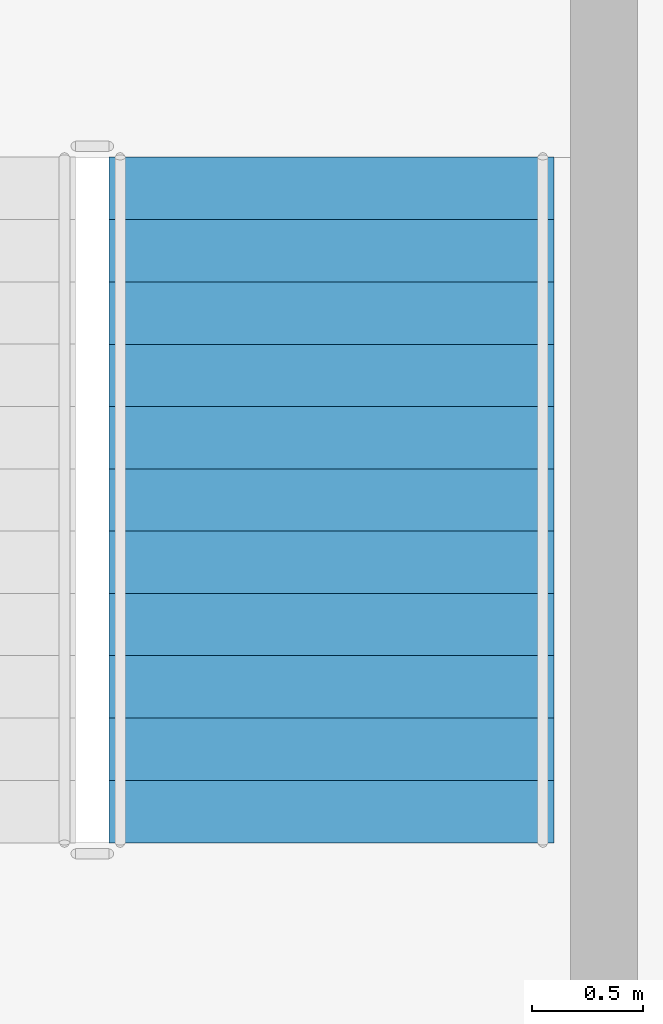
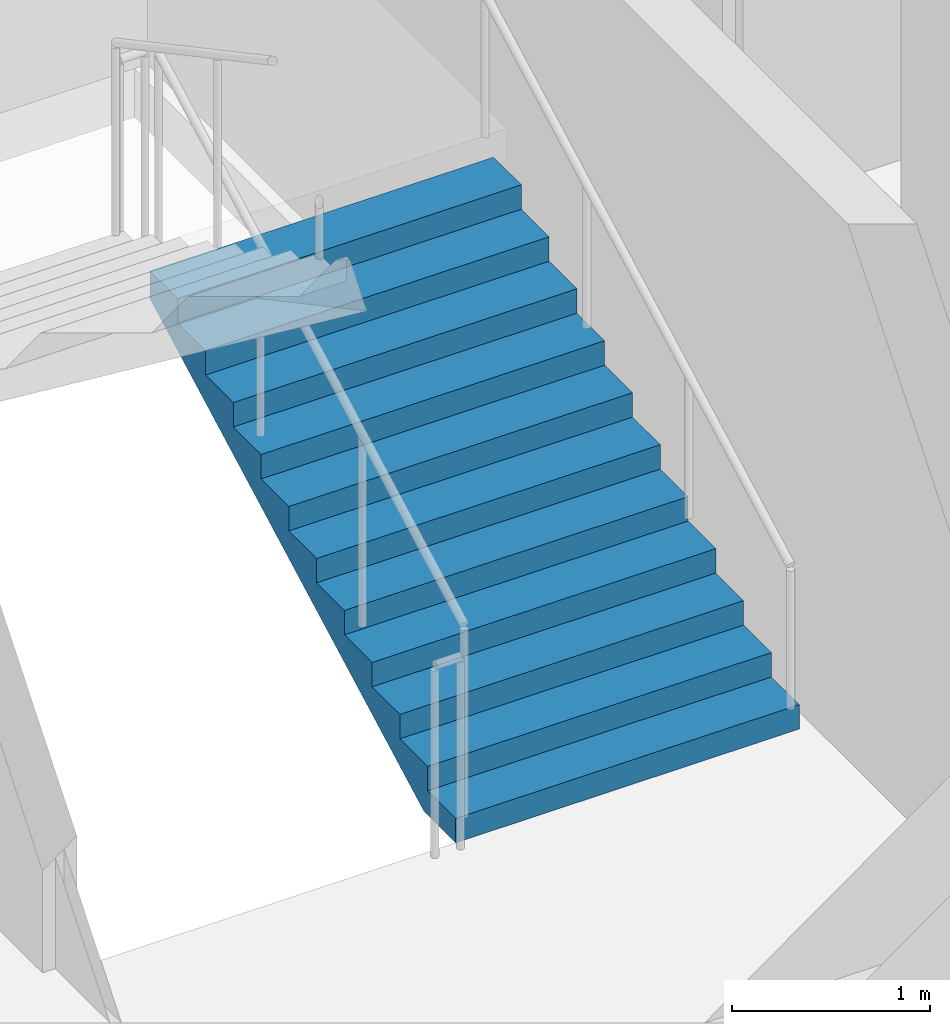
# One storey, part 12 of 15: 1 stair flight, 1 element without a shape of its own.
"""IFC4 building model written with IfcOpenShell, lengths in metres."""

from ifc_helpers import new_model, si_unit, direction, frame, origin, place, context, subcontext, project, spatial, polygons, material, type_object, element, aggregate, save


model = new_model("IFC4")

# Units and contexts
model_context = context("Model", 3, precision=1e-05, world=origin(), true_north=direction((0.0, 1.0)))
body_context = subcontext(model_context, "Body", "Model", "MODEL_VIEW")
ifc_project = project(units=[si_unit("LENGTHUNIT", "METRE"), si_unit("AREAUNIT", "SQUARE_METRE"), si_unit("VOLUMEUNIT", "CUBIC_METRE"), si_unit("PLANEANGLEUNIT", "RADIAN"), si_unit("MASSUNIT", "GRAM", prefix="KILO")], contexts=[model_context])

# Site, building, storey
site_placement = place(None, origin())
site = spatial("IfcSite", under=ifc_project, at=site_placement, CompositionType="ELEMENT")
building_placement = place(site_placement, origin())
building = spatial("IfcBuilding", under=site, at=building_placement, Name="Caravel Reach Hotel and Residences", CompositionType="ELEMENT")
storey_placement = place(building_placement, frame((0.0, 0.0, 60.0)))
storey = spatial("IfcBuildingStorey", under=building, at=storey_placement, Name="L13", CompositionType="ELEMENT", Elevation=60.0)

# Stair, stair flight
ifc_material_1 = material(Name="Concrete C40", Category="concrete")
stair_type = type_object("IfcStairType", Name="Core stair", PredefinedType="HALF_TURN_STAIR", material=ifc_material_1)
stair_placement = place(storey_placement, origin())
stair = element("IfcStair", 1, at=stair_placement, inside=storey, type_object=stair_type, Name="L13 Exit stair B", PredefinedType="HALF_TURN_STAIR")
ifc_material_2 = material(Name="Concrete C40", Category="concrete")
stair_flight_type = type_object("IfcStairFlightType", Name="Core stair flight", PredefinedType="STRAIGHT", material=ifc_material_2)
stair_flight_placement = place(storey_placement, frame((43.77490234375, 24.64990234375, 0.0), z_axis=(0.0, 0.0, 1.0), x_axis=(0.0, 1.0, 0.0)))
stair_flight = element("IfcStairFlight", 2, at=stair_flight_placement, type_object=stair_flight_type, Name="ST-B flight 1", NumberOfRisers=12, NumberOfTreads=11, PredefinedType="STRAIGHT", RiserHeight=0.15, TreadLength=0.28, context=body_context, shape_type="Tessellation", body=[
    polygons([(0.3174408016601862, 1.0, 0.0), (0.3174408016601862, 0.6666666666666667, 0.0), (0.3174408016601862, 0.33333333333333337, 0.0), (0.3174408016601862, 0.0, 0.0), (0.3174408016601862, -0.33333333333333326, 0.0), (0.3174408016601862, -0.6666666666666667, 0.0), (0.3174408016601862, -1.0, 0.0), (3.081, 1.0, 1.479942427682043), (3.081, 0.6666666666666667, 1.479942427682043), (3.081, 0.33333333333333337, 1.479942427682043), (3.081, 0.0, 1.479942427682043), (3.081, -0.33333333333333326, 1.479942427682043), (3.081, -0.6666666666666667, 1.479942427682043), (3.081, -1.0, 1.479942427682043), (3.081, 1.0, 1.65), (3.081, 0.6666666666666667, 1.65), (3.081, 0.33333333333333337, 1.65), (3.081, 0.0, 1.65), (3.081, -0.33333333333333326, 1.65), (3.081, -0.6666666666666667, 1.65), (3.081, -1.0, 1.65), (2.8000000000000003, 1.0, 1.65), (2.8000000000000003, 0.6666666666666667, 1.65), (2.8000000000000003, 0.33333333333333337, 1.65), (2.8000000000000003, 0.0, 1.65), (2.8000000000000003, -0.33333333333333326, 1.65), (2.8000000000000003, -0.6666666666666667, 1.65), (2.8000000000000003, -1.0, 1.65), (2.8000000000000003, 1.0, 1.5), (2.8000000000000003, 0.6666666666666667, 1.5), (2.8000000000000003, 0.33333333333333337, 1.5), (2.8000000000000003, 0.0, 1.5), (2.8000000000000003, -0.33333333333333326, 1.5), (2.8000000000000003, -0.6666666666666667, 1.5), (2.8000000000000003, -1.0, 1.5), (2.5200000000000005, 1.0, 1.5), (2.5200000000000005, 0.6666666666666667, 1.5), (2.5200000000000005, 0.33333333333333337, 1.5), (2.5200000000000005, 0.0, 1.5), (2.5200000000000005, -0.33333333333333326, 1.5), (2.5200000000000005, -0.6666666666666667, 1.5), (2.5200000000000005, -1.0, 1.5), (2.5200000000000005, 1.0, 1.3499999999999999), (2.5200000000000005, 0.6666666666666667, 1.3499999999999999), (2.5200000000000005, 0.33333333333333337, 1.3499999999999999), (2.5200000000000005, 0.0, 1.3499999999999999), (2.5200000000000005, -0.33333333333333326, 1.3499999999999999), (2.5200000000000005, -0.6666666666666667, 1.3499999999999999), (2.5200000000000005, -1.0, 1.3499999999999999), (2.24, 1.0, 1.3499999999999999), (2.24, 0.6666666666666667, 1.3499999999999999), (2.24, 0.33333333333333337, 1.3499999999999999), (2.24, 0.0, 1.3499999999999999), (2.24, -0.33333333333333326, 1.3499999999999999), (2.24, -0.6666666666666667, 1.3499999999999999), (2.24, -1.0, 1.3499999999999999), (2.24, 1.0, 1.2), (2.24, 0.6666666666666667, 1.2), (2.24, 0.33333333333333337, 1.2), (2.24, 0.0, 1.2), (2.24, -0.33333333333333326, 1.2), (2.24, -0.6666666666666667, 1.2), (2.24, -1.0, 1.2), (1.9600000000000002, 1.0, 1.2), (1.9600000000000002, 0.6666666666666667, 1.2), (1.9600000000000002, 0.33333333333333337, 1.2), (1.9600000000000002, 0.0, 1.2), (1.9600000000000002, -0.33333333333333326, 1.2), (1.9600000000000002, -0.6666666666666667, 1.2), (1.9600000000000002, -1.0, 1.2), (1.9600000000000002, 1.0, 1.05), (1.9600000000000002, 0.6666666666666667, 1.05), (1.9600000000000002, 0.33333333333333337, 1.05), (1.9600000000000002, 0.0, 1.05), (1.9600000000000002, -0.33333333333333326, 1.05), (1.9600000000000002, -0.6666666666666667, 1.05), (1.9600000000000002, -1.0, 1.05), (1.6800000000000002, 1.0, 1.05), (1.6800000000000002, 0.6666666666666667, 1.05), (1.6800000000000002, 0.33333333333333337, 1.05), (1.6800000000000002, 0.0, 1.05), (1.6800000000000002, -0.33333333333333326, 1.05), (1.6800000000000002, -0.6666666666666667, 1.05), (1.6800000000000002, -1.0, 1.05), (1.6800000000000002, 1.0, 0.8999999999999999), (1.6800000000000002, 0.6666666666666667, 0.8999999999999999), (1.6800000000000002, 0.33333333333333337, 0.8999999999999999), (1.6800000000000002, 0.0, 0.8999999999999999), (1.6800000000000002, -0.33333333333333326, 0.8999999999999999), (1.6800000000000002, -0.6666666666666667, 0.8999999999999999), (1.6800000000000002, -1.0, 0.8999999999999999), (1.4000000000000001, 1.0, 0.8999999999999999), (1.4000000000000001, 0.6666666666666667, 0.8999999999999999), (1.4000000000000001, 0.33333333333333337, 0.8999999999999999), (1.4000000000000001, 0.0, 0.8999999999999999), (1.4000000000000001, -0.33333333333333326, 0.8999999999999999), (1.4000000000000001, -0.6666666666666667, 0.8999999999999999), (1.4000000000000001, -1.0, 0.8999999999999999), (1.4000000000000001, 1.0, 0.75), (1.4000000000000001, 0.6666666666666667, 0.75), (1.4000000000000001, 0.33333333333333337, 0.75), (1.4000000000000001, 0.0, 0.75), (1.4000000000000001, -0.33333333333333326, 0.75), (1.4000000000000001, -0.6666666666666667, 0.75), (1.4000000000000001, -1.0, 0.75), (1.12, 1.0, 0.75), (1.12, 0.6666666666666667, 0.75), (1.12, 0.33333333333333337, 0.75), (1.12, 0.0, 0.75), (1.12, -0.33333333333333326, 0.75), (1.12, -0.6666666666666667, 0.75), (1.12, -1.0, 0.75), (1.12, 1.0, 0.6), (1.12, 0.6666666666666667, 0.6), (1.12, 0.33333333333333337, 0.6), (1.12, 0.0, 0.6), (1.12, -0.33333333333333326, 0.6), (1.12, -0.6666666666666667, 0.6), (1.12, -1.0, 0.6), (0.8400000000000001, 1.0, 0.6), (0.8400000000000001, 0.6666666666666667, 0.6), (0.8400000000000001, 0.33333333333333337, 0.6), (0.8400000000000001, 0.0, 0.6), (0.8400000000000001, -0.33333333333333326, 0.6), (0.8400000000000001, -0.6666666666666667, 0.6), (0.8400000000000001, -1.0, 0.6), (0.8400000000000001, 1.0, 0.44999999999999996), (0.8400000000000001, 0.6666666666666667, 0.44999999999999996), (0.8400000000000001, 0.33333333333333337, 0.44999999999999996), (0.8400000000000001, 0.0, 0.44999999999999996), (0.8400000000000001, -0.33333333333333326, 0.44999999999999996), (0.8400000000000001, -0.6666666666666667, 0.44999999999999996), (0.8400000000000001, -1.0, 0.44999999999999996), (0.56, 1.0, 0.44999999999999996), (0.56, 0.6666666666666667, 0.44999999999999996), (0.56, 0.33333333333333337, 0.44999999999999996), (0.56, 0.0, 0.44999999999999996), (0.56, -0.33333333333333326, 0.44999999999999996), (0.56, -0.6666666666666667, 0.44999999999999996), (0.56, -1.0, 0.44999999999999996), (0.56, 1.0, 0.3), (0.56, 0.6666666666666667, 0.3), (0.56, 0.33333333333333337, 0.3), (0.56, 0.0, 0.3), (0.56, -0.33333333333333326, 0.3), (0.56, -0.6666666666666667, 0.3), (0.56, -1.0, 0.3), (0.28, 1.0, 0.3), (0.28, 0.6666666666666667, 0.3), (0.28, 0.33333333333333337, 0.3), (0.28, 0.0, 0.3), (0.28, -0.33333333333333326, 0.3), (0.28, -0.6666666666666667, 0.3), (0.28, -1.0, 0.3), (0.28, 1.0, 0.15), (0.28, 0.6666666666666667, 0.15), (0.28, 0.33333333333333337, 0.15), (0.28, 0.0, 0.15), (0.28, -0.33333333333333326, 0.15), (0.28, -0.6666666666666667, 0.15), (0.28, -1.0, 0.15), (-0.001, 1.0, 0.15), (-0.001, 0.6666666666666667, 0.15), (-0.001, 0.33333333333333337, 0.15), (-0.001, 0.0, 0.15), (-0.001, -0.33333333333333326, 0.15), (-0.001, -0.6666666666666667, 0.15), (-0.001, -1.0, 0.15), (-0.001, 1.0, 0.0), (-0.001, 0.6666666666666667, 0.0), (-0.001, 0.33333333333333337, 0.0), (-0.001, 0.0, 0.0), (-0.001, -0.33333333333333326, 0.0), (-0.001, -0.6666666666666667, 0.0), (-0.001, -1.0, 0.0)], [[[169, 162, 155, 148, 141, 134, 127, 120, 113, 106, 99, 92, 85, 78, 71, 64, 57, 50, 43, 36, 29, 22, 15, 8, 1]], [[7, 14, 21, 28, 35, 42, 49, 56, 63, 70, 77, 84, 91, 98, 105, 112, 119, 126, 133, 140, 147, 154, 161, 168, 175]], [[1, 8, 9, 2]], [[2, 9, 10, 3]], [[3, 10, 11, 4]], [[4, 11, 12, 5]], [[5, 12, 13, 6]], [[6, 13, 14, 7]], [[8, 15, 16, 9]], [[9, 16, 17, 10]], [[10, 17, 18, 11]], [[11, 18, 19, 12]], [[12, 19, 20, 13]], [[13, 20, 21, 14]], [[15, 22, 23, 16]], [[16, 23, 24, 17]], [[17, 24, 25, 18]], [[18, 25, 26, 19]], [[19, 26, 27, 20]], [[20, 27, 28, 21]], [[22, 29, 30, 23]], [[23, 30, 31, 24]], [[24, 31, 32, 25]], [[25, 32, 33, 26]], [[26, 33, 34, 27]], [[27, 34, 35, 28]], [[29, 36, 37, 30]], [[30, 37, 38, 31]], [[31, 38, 39, 32]], [[32, 39, 40, 33]], [[33, 40, 41, 34]], [[34, 41, 42, 35]], [[36, 43, 44, 37]], [[37, 44, 45, 38]], [[38, 45, 46, 39]], [[39, 46, 47, 40]], [[40, 47, 48, 41]], [[41, 48, 49, 42]], [[43, 50, 51, 44]], [[44, 51, 52, 45]], [[45, 52, 53, 46]], [[46, 53, 54, 47]], [[47, 54, 55, 48]], [[48, 55, 56, 49]], [[50, 57, 58, 51]], [[51, 58, 59, 52]], [[52, 59, 60, 53]], [[53, 60, 61, 54]], [[54, 61, 62, 55]], [[55, 62, 63, 56]], [[57, 64, 65, 58]], [[58, 65, 66, 59]], [[59, 66, 67, 60]], [[60, 67, 68, 61]], [[61, 68, 69, 62]], [[62, 69, 70, 63]], [[64, 71, 72, 65]], [[65, 72, 73, 66]], [[66, 73, 74, 67]], [[67, 74, 75, 68]], [[68, 75, 76, 69]], [[69, 76, 77, 70]], [[71, 78, 79, 72]], [[72, 79, 80, 73]], [[73, 80, 81, 74]], [[74, 81, 82, 75]], [[75, 82, 83, 76]], [[76, 83, 84, 77]], [[78, 85, 86, 79]], [[79, 86, 87, 80]], [[80, 87, 88, 81]], [[81, 88, 89, 82]], [[82, 89, 90, 83]], [[83, 90, 91, 84]], [[85, 92, 93, 86]], [[86, 93, 94, 87]], [[87, 94, 95, 88]], [[88, 95, 96, 89]], [[89, 96, 97, 90]], [[90, 97, 98, 91]], [[92, 99, 100, 93]], [[93, 100, 101, 94]], [[94, 101, 102, 95]], [[95, 102, 103, 96]], [[96, 103, 104, 97]], [[97, 104, 105, 98]], [[99, 106, 107, 100]], [[100, 107, 108, 101]], [[101, 108, 109, 102]], [[102, 109, 110, 103]], [[103, 110, 111, 104]], [[104, 111, 112, 105]], [[106, 113, 114, 107]], [[107, 114, 115, 108]], [[108, 115, 116, 109]], [[109, 116, 117, 110]], [[110, 117, 118, 111]], [[111, 118, 119, 112]], [[113, 120, 121, 114]], [[114, 121, 122, 115]], [[115, 122, 123, 116]], [[116, 123, 124, 117]], [[117, 124, 125, 118]], [[118, 125, 126, 119]], [[120, 127, 128, 121]], [[121, 128, 129, 122]], [[122, 129, 130, 123]], [[123, 130, 131, 124]], [[124, 131, 132, 125]], [[125, 132, 133, 126]], [[127, 134, 135, 128]], [[128, 135, 136, 129]], [[129, 136, 137, 130]], [[130, 137, 138, 131]], [[131, 138, 139, 132]], [[132, 139, 140, 133]], [[134, 141, 142, 135]], [[135, 142, 143, 136]], [[136, 143, 144, 137]], [[137, 144, 145, 138]], [[138, 145, 146, 139]], [[139, 146, 147, 140]], [[141, 148, 149, 142]], [[142, 149, 150, 143]], [[143, 150, 151, 144]], [[144, 151, 152, 145]], [[145, 152, 153, 146]], [[146, 153, 154, 147]], [[148, 155, 156, 149]], [[149, 156, 157, 150]], [[150, 157, 158, 151]], [[151, 158, 159, 152]], [[152, 159, 160, 153]], [[153, 160, 161, 154]], [[155, 162, 163, 156]], [[156, 163, 164, 157]], [[157, 164, 165, 158]], [[158, 165, 166, 159]], [[159, 166, 167, 160]], [[160, 167, 168, 161]], [[162, 169, 170, 163]], [[163, 170, 171, 164]], [[164, 171, 172, 165]], [[165, 172, 173, 166]], [[166, 173, 174, 167]], [[167, 174, 175, 168]], [[169, 1, 2, 170]], [[170, 2, 3, 171]], [[171, 3, 4, 172]], [[172, 4, 5, 173]], [[173, 5, 6, 174]], [[174, 6, 7, 175]]], closed=True),
])
aggregate(stair, [stair_flight])

save(model, "model.ifc")
